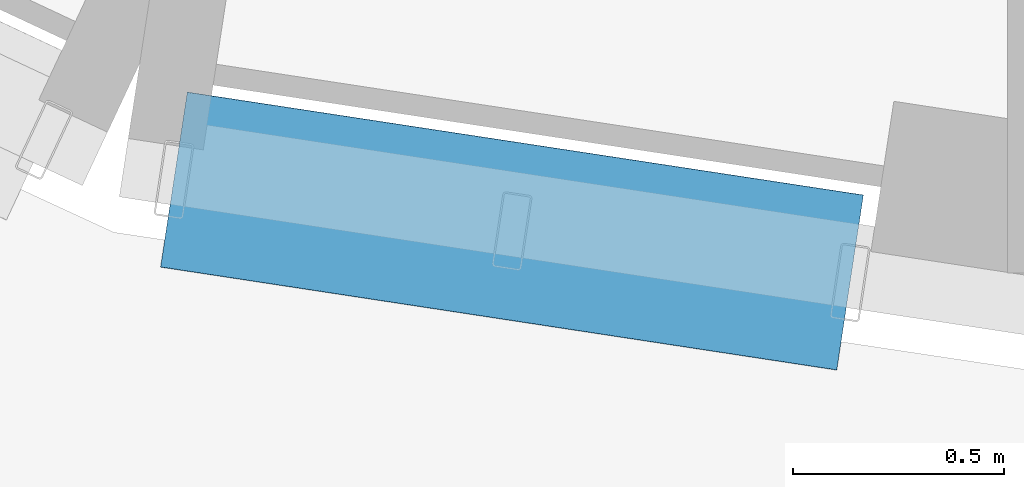
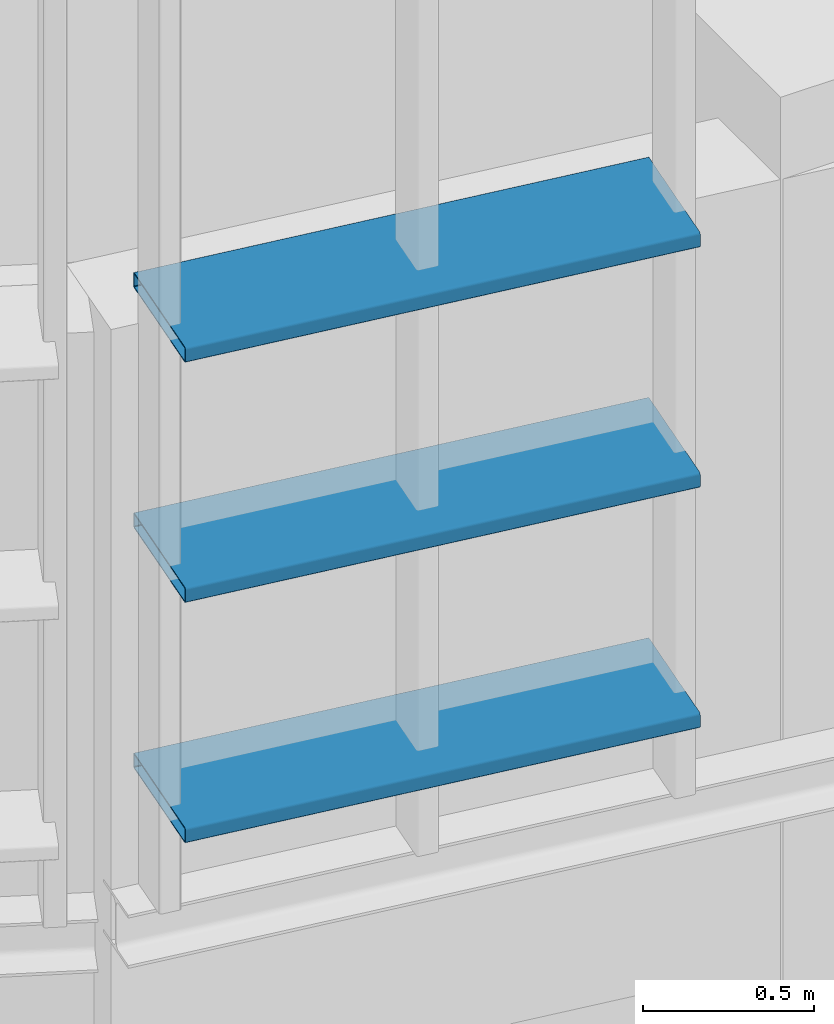
# One storey, part 137 of 372: 3 members.
"""IFC4 building model written with IfcOpenShell, lengths in metres."""

from ifc_helpers import new_model, si_unit, direction, frame, origin, origin_2d, place, context, subcontext, project, spatial, hollow_rectangle, extrude, material, material_profile, profile_set, type_object, element, save


model = new_model("IFC4")

# Units and contexts
model_context = context("Model", 3, precision=1e-05, world=origin(), true_north=direction((0.0, 1.0)))
body_context = subcontext(model_context, "Body", "Model", "MODEL_VIEW")
ifc_project = project(units=[si_unit("LENGTHUNIT", "METRE"), si_unit("AREAUNIT", "SQUARE_METRE"), si_unit("VOLUMEUNIT", "CUBIC_METRE"), si_unit("PLANEANGLEUNIT", "RADIAN"), si_unit("MASSUNIT", "GRAM", prefix="KILO")], contexts=[model_context])

# Site, building, storey
site_placement = place(None, origin())
site = spatial("IfcSite", under=ifc_project, at=site_placement, CompositionType="ELEMENT")
building_placement = place(site_placement, origin())
building = spatial("IfcBuilding", under=site, at=building_placement, Name="Kaelora Sail Theatre", CompositionType="ELEMENT")
storey_placement = place(building_placement, origin())
storey = spatial("IfcBuildingStorey", under=building, at=storey_placement, Name="L00", CompositionType="ELEMENT", Elevation=0.0)

# Members
ifc_material = material(Name="Anodised aluminium 6063-T6", Category="aluminium")
ifc_material_profile = material_profile(ifc_material, hollow_rectangle(XDim=0.419921875, YDim=0.054931640625, WallThickness=0.00390625, InnerFilletRadius=0.00390625, OuterFilletRadius=0.008056640625, at=origin_2d()), Name="LOUVRE 420x55x4")
ifc_profile_set = profile_set([ifc_material_profile], Name="Anodised aluminium 6063-T6")
member_type = type_object("IfcMemberType", Name="ARC-MEM-LVR-420", PredefinedType="USERDEFINED", material=ifc_profile_set)
for number, where, z_axis, x_axis, name in (
    (1, (89.876953125, 31.107177734375, 3.449951171875), (-0.988605679587, 0.15052843681, 0.0), (-0.15052843681, -0.988605679587, 0.0), "Studio Theatre Sail Drum horizontal solar louvre C11-01"),
    (2, (89.876953125, 31.107177734375, 4.31005859375), (-0.988605679587, 0.15052843681, 0.0), (-0.15052843681, -0.988605679587, 0.0), "Studio Theatre Sail Drum horizontal solar louvre C11-02"),
    (3, (89.876953125, 31.107177734375, 5.169921875), (-0.988605679587, 0.15052843681, 0.0), (-0.15052843681, -0.988605679587, 0.0), "Studio Theatre Sail Drum horizontal solar louvre C11-03"),
):
    element("IfcMember", number, at=place(storey_placement, frame(where, z_axis=z_axis, x_axis=x_axis)), inside=storey, type_object=member_type, Name=name, ObjectType="LOUVRE", PredefinedType="USERDEFINED", context=body_context, shape_type="SweptSolid", body=[
        extrude(hollow_rectangle(XDim=0.419921875, YDim=0.054931640625, WallThickness=0.00390625, InnerFilletRadius=0.00390625, OuterFilletRadius=0.008056640625, at=origin_2d()), origin(), (0.0, 0.0, 1.0), 1.620361328125),
    ])

save(model, "model.ifc")
